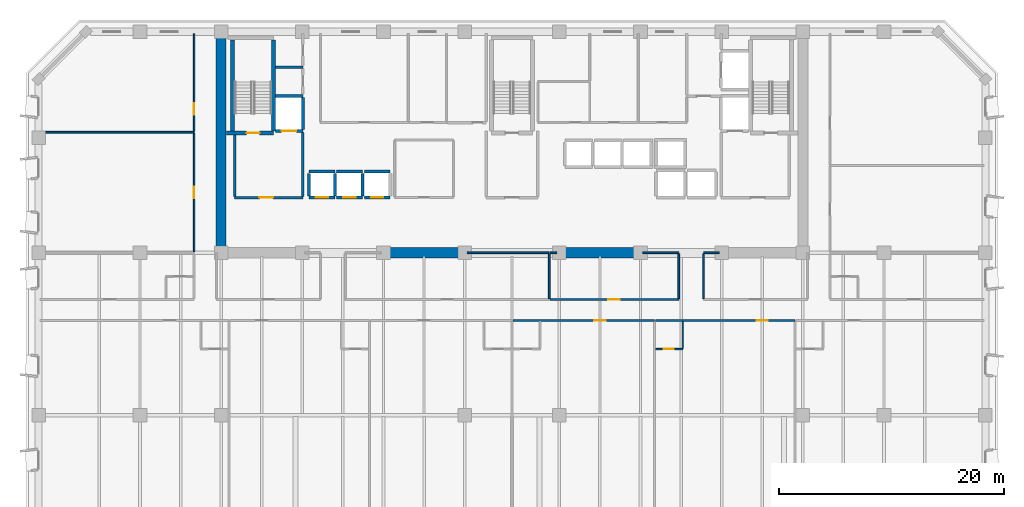
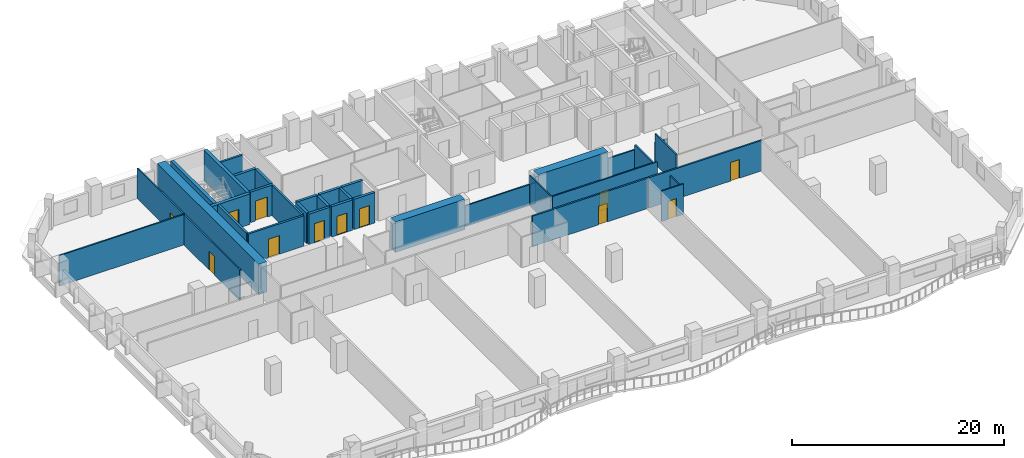
# One storey, part 6 of 15: 37 walls, 12 doors, 12 openings.
"""IFC4 building model written with IfcOpenShell, lengths in metres."""

from ifc_helpers import new_model, si_unit, direction, frame, frame_2d, origin, place, context, subcontext, project, spatial, rectangle, extrude, material, layer, layer_set, type_object, element, fill, save


model = new_model("IFC4")

# Units and contexts
model_context = context("Model", 3, precision=1e-05, world=origin(), true_north=direction((0.0, 1.0)))
body_context = subcontext(model_context, "Body", "Model", "MODEL_VIEW")
ifc_project = project(units=[si_unit("LENGTHUNIT", "METRE"), si_unit("AREAUNIT", "SQUARE_METRE"), si_unit("VOLUMEUNIT", "CUBIC_METRE"), si_unit("PLANEANGLEUNIT", "RADIAN"), si_unit("MASSUNIT", "GRAM", prefix="KILO")], contexts=[model_context])

# Site, building, storey
site_placement = place(None, origin())
site = spatial("IfcSite", under=ifc_project, at=site_placement, CompositionType="ELEMENT")
building_placement = place(site_placement, origin())
building = spatial("IfcBuilding", under=site, at=building_placement, Name="Kaelvorn Grand Hotel", CompositionType="ELEMENT")
storey_placement = place(building_placement, frame((0.0, 0.0, 108.050048828125)))
storey = spatial("IfcBuildingStorey", under=building, at=storey_placement, Name="L25", CompositionType="ELEMENT", Elevation=108.050048828125)

# Walls
ifc_material_1 = material(Name="Concrete C60/75", Category="concrete")
ifc_layer_1 = layer(ifc_material_1, 0.89990234375)
ifc_layer_set_1 = layer_set([ifc_layer_1], Name="Concrete C60/75")
wall_type_1 = type_object("IfcWallType", Name="WL-CORE-900-C60", PredefinedType="SHEAR", material=ifc_layer_set_1)
wall_1_placement = place(storey_placement, frame((16.199951171875, 29.39990234375, 0.0), z_axis=(0.0, 0.0, 1.0), x_axis=(0.0, 1.0, 0.0)))
element("IfcWall", 1, at=wall_1_placement, inside=storey, type_object=wall_type_1, Name="L25 Rear-Core West Shear Wall", PredefinedType="SHEAR", context=body_context, shape_type="SweptSolid", body=[
    extrude(rectangle(XDim=19.2001953125, YDim=0.89990234375, at=frame_2d((9.60009765625, 0.0))), origin(), (0.0, 0.0, 1.0), 3.510009765625),
])
for number, where, z_axis, x_axis, name in (
    (2, (30.39990234375, 29.39990234375, 0.0), (0.0, 0.0, 1.0), (1.0, 0.0, 0.0), "L25 Rear-Core Coupled Shear Pier S2"),
    (3, (46.0, 29.39990234375, 0.0), (0.0, 0.0, 1.0), (1.0, 0.0, 0.0), "L25 Rear-Core Coupled Shear Pier S3"),
):
    element("IfcWall", number, at=place(storey_placement, frame(where, z_axis=z_axis, x_axis=x_axis)), inside=storey, type_object=wall_type_1, Name=name, PredefinedType="SHEAR", context=body_context, shape_type="SweptSolid", body=[
        extrude(rectangle(XDim=7.60009765625, YDim=0.89990234375, at=frame_2d((3.800048828125, 0.0))), origin(), (0.0, 0.0, 1.0), 3.510009765625),
    ])

# Wall, opening, door
ifc_material_2 = material(Name="Moisture-Resistant Tile & Stud Board")
ifc_layer_2 = layer(ifc_material_2, 0.125)
ifc_layer_set_2 = layer_set([ifc_layer_2], Name="Moisture-Resistant Tile & Stud Board")
wall_type_2 = type_object("IfcWallType", Name="WL-PART-125-WET", PredefinedType="PARTITIONING", material=ifc_layer_set_2)
wall_2_placement = place(storey_placement, frame((54.74560546875, 20.85009765625, 0.0), z_axis=(0.0, 0.0, 1.0), x_axis=(1.0, 0.0, 0.0)))
wall_2 = element("IfcWall", 4, at=wall_2_placement, inside=storey, type_object=wall_type_2, Name="L25 En-suite Bathroom L25-05 S Partition", PredefinedType="PARTITIONING", context=body_context, shape_type="SweptSolid", body=[
    extrude(rectangle(XDim=2.40478515625, YDim=0.125, at=frame_2d((1.202392578125, 0.0))), origin(), (0.0, 0.0, 1.0), 3.510009765625),
])
opening_1_placement = place(wall_2_placement, frame((0.705078125, 0.0, 0.0)))
opening_1 = element("IfcOpeningElement", 5, at=opening_1_placement, cuts=wall_2, Name="Opening DI4", PredefinedType="OPENING", context=body_context, shape_type="SweptSolid", body=[
    extrude(rectangle(XDim=0.89990234375, YDim=2.10009765625, at=frame_2d((0.449951171875, 1.050048828125))), frame((0.0, 0.072509765625, 0.0), z_axis=(0.0, -1.0, 0.0), x_axis=(1.0, 0.0, 0.0)), (0.0, 0.0, 1.0), 0.14501953125),
])
ifc_material_3 = material(Name="Timber Veneer Leaf", Category="wood")
door_type_1 = type_object("IfcDoorType", Name="DR-INT-BATH-900x2100", OperationType="NOTDEFINED", PredefinedType="DOOR", material=ifc_material_3)
door_1_placement = place(opening_1_placement, origin())
door_1 = element("IfcDoor", 6, at=door_1_placement, inside=storey, type_object=door_type_1, Name="L25 En-suite Bathroom L25-05 Door", OperationType="SINGLE_SWING_LEFT", OverallHeight=2.10009765625, OverallWidth=0.89990234375, PredefinedType="DOOR", context=body_context, shape_type="SweptSolid", body=[
    extrude(rectangle(XDim=0.89990234375, YDim=2.10009765625, at=frame_2d((0.449951171875, 1.050048828125))), frame((0.0, 0.02490234375, 0.0), z_axis=(0.0, -1.0, 0.0), x_axis=(1.0, 0.0, 0.0)), (0.0, 0.0, 1.0), 0.050048828125),
])
fill(opening_1, door_1)

# Walls
wall_3_placement = place(storey_placement, frame((57.150390625, 20.91748046875, 0.0), z_axis=(0.0, 0.0, 1.0), x_axis=(0.0, 1.0, 0.0)))
element("IfcWall", 7, at=wall_3_placement, inside=storey, type_object=wall_type_2, Name="L25 En-suite Bathroom L25-05 E Partition", PredefinedType="PARTITIONING", context=body_context, shape_type="SweptSolid", body=[
    extrude(rectangle(XDim=2.387451171875, YDim=0.125, at=frame_2d((1.19384765625, 0.0))), origin(), (0.0, 0.0, 1.0), 2.976806640625),
])
ifc_material_4 = material(Name="Acoustic Gypsum & Stud Partition")
ifc_layer_3 = layer(ifc_material_4, 0.14990234375)
ifc_layer_set_3 = layer_set([ifc_layer_3], Name="Acoustic Gypsum & Stud Partition")
wall_type_3 = type_object("IfcWallType", Name="WL-PART-150-EI60", PredefinedType="PARTITIONING", material=ifc_layer_set_3)
wall_4_placement = place(storey_placement, frame((38.010009765625, 29.39990234375, 0.0), z_axis=(0.0, 0.0, 1.0), x_axis=(1.0, 0.0, 0.0)))
element("IfcWall", 8, at=wall_4_placement, inside=storey, type_object=wall_type_3, Name="L25 Catering Servery Kitchen N Partition (2)", PredefinedType="PARTITIONING", context=body_context, shape_type="SweptSolid", body=[
    extrude(rectangle(XDim=7.2900390625, YDim=0.14990234375, at=frame_2d((3.64501953125, 0.0))), origin(), (0.0, 0.0, 1.0), 2.409912109375),
])
wall_5_placement = place(storey_placement, frame((45.300048828125, 25.330078125, 0.0), z_axis=(0.0, 0.0, 1.0), x_axis=(0.0, 1.0, 0.0)))
element("IfcWall", 9, at=wall_5_placement, inside=storey, type_object=wall_type_3, Name="L25 Catering Servery Kitchen E Partition", PredefinedType="PARTITIONING", context=body_context, shape_type="SweptSolid", body=[
    extrude(rectangle(XDim=3.989990234375, YDim=0.14990234375, at=frame_2d((1.9951171875, 0.0))), origin(), (0.0, 0.0, 1.0), 3.510009765625),
])

# Wall, opening, door
wall_6_placement = place(storey_placement, frame((45.3798828125, 25.25, 0.0), z_axis=(0.0, 0.0, 1.0), x_axis=(1.0, 0.0, 0.0)))
wall_6 = element("IfcWall", 10, at=wall_6_placement, inside=storey, type_object=wall_type_3, Name="L25 Presidential Living Room S Partition", PredefinedType="PARTITIONING", context=body_context, shape_type="SweptSolid", body=[
    extrude(rectangle(XDim=11.420166015625, YDim=0.14990234375, at=frame_2d((5.7099609375, 0.0))), origin(), (0.0, 0.0, 1.0), 3.510009765625),
])
opening_2_placement = place(wall_6_placement, frame((5.169921875, 0.0, 0.0)))
opening_2 = element("IfcOpeningElement", 11, at=opening_2_placement, cuts=wall_6, Name="Opening DI3", PredefinedType="OPENING", context=body_context, shape_type="SweptSolid", body=[
    extrude(rectangle(XDim=1.0, YDim=2.14990234375, at=frame_2d((0.5, 1.074951171875))), frame((0.0, 0.0849609375, 0.0), z_axis=(0.0, -1.0, 0.0), x_axis=(1.0, 0.0, 0.0)), (0.0, 0.0, 1.0), 0.169921875),
])
ifc_material_5 = material(Name="Timber Veneer Fire Leaf", Category="wood")
door_type_2 = type_object("IfcDoorType", Name="DR-INT-GUEST-1000x2150", OperationType="NOTDEFINED", PredefinedType="DOOR", material=ifc_material_5)
door_2_placement = place(opening_2_placement, origin())
door_2 = element("IfcDoor", 12, at=door_2_placement, inside=storey, type_object=door_type_2, Name="L25 Presidential Living Room Door", OperationType="SINGLE_SWING_RIGHT", OverallHeight=2.14990234375, OverallWidth=1.0, PredefinedType="DOOR", context=body_context, shape_type="SweptSolid", body=[
    extrude(rectangle(XDim=1.0, YDim=2.14990234375, at=frame_2d((0.5, 1.074951171875))), frame((0.0, 0.02490234375, 0.0), z_axis=(0.0, -1.0, 0.0), x_axis=(1.0, 0.0, 0.0)), (0.0, 0.0, 1.0), 0.050048828125),
])
fill(opening_2, door_2)

# Walls
wall_7_placement = place(storey_placement, frame((45.3798828125, 29.39990234375, 0.0), z_axis=(0.0, 0.0, 1.0), x_axis=(1.0, 0.0, 0.0)))
element("IfcWall", 13, at=wall_7_placement, inside=storey, type_object=wall_type_3, Name="L25 Presidential Living Room N Partition (1)", PredefinedType="PARTITIONING", context=body_context, shape_type="SweptSolid", body=[
    extrude(rectangle(XDim=0.610107421875, YDim=0.14990234375, at=frame_2d((0.30517578125, 0.0))), origin(), (0.0, 0.0, 1.0), 2.409912109375),
])
wall_8_placement = place(storey_placement, frame((53.610107421875, 29.39990234375, 0.0), z_axis=(0.0, 0.0, 1.0), x_axis=(1.0, 0.0, 0.0)))
element("IfcWall", 14, at=wall_8_placement, inside=storey, type_object=wall_type_3, Name="L25 Presidential Living Room N Partition (2)", PredefinedType="PARTITIONING", context=body_context, shape_type="SweptSolid", body=[
    extrude(rectangle(XDim=3.18994140625, YDim=0.14990234375, at=frame_2d((1.594970703125, 0.0))), origin(), (0.0, 0.0, 1.0), 2.409912109375),
])
wall_9_placement = place(storey_placement, frame((56.800048828125, 25.330078125, 0.0), z_axis=(0.0, 0.0, 1.0), x_axis=(0.0, 1.0, 0.0)))
element("IfcWall", 15, at=wall_9_placement, inside=storey, type_object=wall_type_3, Name="L25 Presidential Living Room E Partition", PredefinedType="PARTITIONING", context=body_context, shape_type="SweptSolid", body=[
    extrude(rectangle(XDim=3.989990234375, YDim=0.14990234375, at=frame_2d((1.9951171875, 0.0))), origin(), (0.0, 0.0, 1.0), 2.976806640625),
])
wall_10_placement = place(storey_placement, frame((59.0, 29.39990234375, 0.0), z_axis=(0.0, 0.0, 1.0), x_axis=(1.0, 0.0, 0.0)))
element("IfcWall", 16, at=wall_10_placement, inside=storey, type_object=wall_type_3, Name="L25 Trade Advisory Office N Partition", PredefinedType="PARTITIONING", context=body_context, shape_type="SweptSolid", body=[
    extrude(rectangle(XDim=1.389892578125, YDim=0.14990234375, at=frame_2d((0.69482421875, 0.0))), origin(), (0.0, 0.0, 1.0), 2.409912109375),
])
wall_11_placement = place(storey_placement, frame((59.0, 25.330078125, 0.0), z_axis=(0.0, 0.0, 1.0), x_axis=(0.0, 1.0, 0.0)))
element("IfcWall", 17, at=wall_11_placement, inside=storey, type_object=wall_type_3, Name="L25 Trade Advisory Office W Partition", PredefinedType="PARTITIONING", context=body_context, shape_type="SweptSolid", body=[
    extrude(rectangle(XDim=3.989990234375, YDim=0.14990234375, at=frame_2d((1.9951171875, 0.0))), origin(), (0.0, 0.0, 1.0), 3.510009765625),
])
wall_12_placement = place(storey_placement, frame((0.14990234375, 40.10009765625, 0.0), z_axis=(0.0, 0.0, 1.0), x_axis=(1.0, 0.0, 0.0)))
element("IfcWall", 18, at=wall_12_placement, inside=storey, type_object=wall_type_3, Name="L25 North-West Botanical Conservatory Salon N Partition", PredefinedType="PARTITIONING", context=body_context, shape_type="SweptSolid", body=[
    extrude(rectangle(XDim=13.650146484375, YDim=0.14990234375, at=frame_2d((6.8251953125, 0.0))), origin(), (0.0, 0.0, 1.0), 3.510009765625),
])

# Wall, opening, door
wall_13_placement = place(storey_placement, frame((13.800048828125, 29.4951171875, 0.0), z_axis=(0.0, 0.0, 1.0), x_axis=(0.0, 1.0, 0.0)))
wall_13 = element("IfcWall", 19, at=wall_13_placement, inside=storey, type_object=wall_type_3, Name="L25 North-West Botanical Conservatory Salon E Partition", PredefinedType="PARTITIONING", context=body_context, shape_type="SweptSolid", body=[
    extrude(rectangle(XDim=10.52490234375, YDim=0.14990234375, at=frame_2d((5.262451171875, 0.0))), origin(), (0.0, 0.0, 1.0), 3.510009765625),
])
opening_3_placement = place(wall_13_placement, frame((4.7548828125, 0.0, 0.0)))
opening_3 = element("IfcOpeningElement", 20, at=opening_3_placement, cuts=wall_13, Name="Opening DI3", PredefinedType="OPENING", context=body_context, shape_type="SweptSolid", body=[
    extrude(rectangle(XDim=1.0, YDim=2.14990234375, at=frame_2d((0.5, 1.074951171875))), frame((0.0, 0.0849609375, 0.0), z_axis=(0.0, -1.0, 0.0), x_axis=(1.0, 0.0, 0.0)), (0.0, 0.0, 1.0), 0.169921875),
])
door_3_placement = place(opening_3_placement, origin())
door_3 = element("IfcDoor", 21, at=door_3_placement, inside=storey, type_object=door_type_2, Name="L25 North-West Botanical Conservatory Salon Door", OperationType="SINGLE_SWING_RIGHT", OverallHeight=2.14990234375, OverallWidth=1.0, PredefinedType="DOOR", context=body_context, shape_type="SweptSolid", body=[
    extrude(rectangle(XDim=1.0, YDim=2.14990234375, at=frame_2d((0.5, 1.074951171875))), frame((0.0, 0.02490234375, 0.0), z_axis=(0.0, -1.0, 0.0), x_axis=(1.0, 0.0, 0.0)), (0.0, 0.0, 1.0), 0.050048828125),
])
fill(opening_3, door_3)

wall_14_placement = place(storey_placement, frame((13.800048828125, 40.179931640625, 0.0), z_axis=(0.0, 0.0, 1.0), x_axis=(0.0, 1.0, 0.0)))
wall_14 = element("IfcWall", 22, at=wall_14_placement, inside=storey, type_object=wall_type_3, Name="L25 North-West Catering Servery Kitchen E Partition", PredefinedType="PARTITIONING", context=body_context, shape_type="SweptSolid", body=[
    extrude(rectangle(XDim=8.670166015625, YDim=0.14990234375, at=frame_2d((4.3349609375, 0.0))), origin(), (0.0, 0.0, 1.0), 3.510009765625),
])
opening_4_placement = place(wall_14_placement, frame((1.469970703125, 0.0, 0.0)))
opening_4 = element("IfcOpeningElement", 23, at=opening_4_placement, cuts=wall_14, Name="Opening DI3", PredefinedType="OPENING", context=body_context, shape_type="SweptSolid", body=[
    extrude(rectangle(XDim=1.0, YDim=2.14990234375, at=frame_2d((0.5, 1.074951171875))), frame((0.0, 0.0849609375, 0.0), z_axis=(0.0, -1.0, 0.0), x_axis=(1.0, 0.0, 0.0)), (0.0, 0.0, 1.0), 0.169921875),
])
door_4_placement = place(opening_4_placement, origin())
door_4 = element("IfcDoor", 24, at=door_4_placement, inside=storey, type_object=door_type_2, Name="L25 North-West Catering Servery Kitchen Door", OperationType="SINGLE_SWING_LEFT", OverallHeight=2.14990234375, OverallWidth=1.0, PredefinedType="DOOR", context=body_context, shape_type="SweptSolid", body=[
    extrude(rectangle(XDim=1.0, YDim=2.14990234375, at=frame_2d((0.5, 1.074951171875))), frame((0.0, 0.02490234375, 0.0), z_axis=(0.0, -1.0, 0.0), x_axis=(1.0, 0.0, 0.0)), (0.0, 0.0, 1.0), 0.050048828125),
])
fill(opening_4, door_4)

ifc_layer_4 = layer(ifc_material_4, 0.179931640625)
ifc_layer_set_4 = layer_set([ifc_layer_4], Name="Acoustic Gypsum & Stud Partition")
wall_type_4 = type_object("IfcWallType", Name="WL-PART-180-EI60", PredefinedType="PARTITIONING", material=ifc_layer_set_4)
wall_15_placement = place(storey_placement, frame((42.094970703125, 23.39990234375, 0.0), z_axis=(0.0, 0.0, 1.0), x_axis=(1.0, 0.0, 0.0)))
wall_15 = element("IfcWall", 25, at=wall_15_placement, inside=storey, type_object=wall_type_4, Name="L25 Presidential Sky Suite L25-04 N Partition", PredefinedType="PARTITIONING", context=body_context, shape_type="SweptSolid", body=[
    extrude(rectangle(XDim=12.555419921875, YDim=0.179931640625, at=frame_2d((6.27783203125, 0.0))), origin(), (0.0, 0.0, 1.0), 3.510009765625),
])
opening_5_placement = place(wall_15_placement, frame((7.205078125, 0.0, 0.0)))
opening_5 = element("IfcOpeningElement", 26, at=opening_5_placement, cuts=wall_15, Name="Opening DI3", PredefinedType="OPENING", context=body_context, shape_type="SweptSolid", body=[
    extrude(rectangle(XDim=1.0, YDim=2.14990234375, at=frame_2d((0.5, 1.074951171875))), frame((0.0, 0.10009765625, 0.0), z_axis=(0.0, -1.0, 0.0), x_axis=(1.0, 0.0, 0.0)), (0.0, 0.0, 1.0), 0.199951171875),
])
door_5_placement = place(opening_5_placement, origin())
door_5 = element("IfcDoor", 27, at=door_5_placement, inside=storey, type_object=door_type_2, Name="L25 Presidential Sky Suite L25-04 Door", OperationType="SINGLE_SWING_RIGHT", OverallHeight=2.14990234375, OverallWidth=1.0, PredefinedType="DOOR", context=body_context, shape_type="SweptSolid", body=[
    extrude(rectangle(XDim=1.0, YDim=2.14990234375, at=frame_2d((0.5, 1.074951171875))), frame((0.0, 0.02490234375, 0.0), z_axis=(0.0, -1.0, 0.0), x_axis=(1.0, 0.0, 0.0)), (0.0, 0.0, 1.0), 0.050048828125),
])
fill(opening_5, door_5)

wall_16_placement = place(storey_placement, frame((54.74560546875, 23.39990234375, 0.0), z_axis=(0.0, 0.0, 1.0), x_axis=(1.0, 0.0, 0.0)))
wall_16 = element("IfcWall", 28, at=wall_16_placement, inside=storey, type_object=wall_type_4, Name="L25 Presidential Sky Suite L25-05 N Partition", PredefinedType="PARTITIONING", context=body_context, shape_type="SweptSolid", body=[
    extrude(rectangle(XDim=12.354736328125, YDim=0.179931640625, at=frame_2d((6.17724609375, 0.0))), origin(), (0.0, 0.0, 1.0), 3.510009765625),
])
opening_6_placement = place(wall_16_placement, frame((8.95458984375, 0.0, 0.0)))
opening_6 = element("IfcOpeningElement", 29, at=opening_6_placement, cuts=wall_16, Name="Opening DI3", PredefinedType="OPENING", context=body_context, shape_type="SweptSolid", body=[
    extrude(rectangle(XDim=1.0, YDim=2.14990234375, at=frame_2d((0.5, 1.074951171875))), frame((0.0, 0.10009765625, 0.0), z_axis=(0.0, -1.0, 0.0), x_axis=(1.0, 0.0, 0.0)), (0.0, 0.0, 1.0), 0.199951171875),
])
door_6_placement = place(opening_6_placement, origin())
door_6 = element("IfcDoor", 30, at=door_6_placement, inside=storey, type_object=door_type_2, Name="L25 Presidential Sky Suite L25-05 Door", OperationType="SINGLE_SWING_RIGHT", OverallHeight=2.14990234375, OverallWidth=1.0, PredefinedType="DOOR", context=body_context, shape_type="SweptSolid", body=[
    extrude(rectangle(XDim=1.0, YDim=2.14990234375, at=frame_2d((0.5, 1.074951171875))), frame((0.0, 0.02490234375, 0.0), z_axis=(0.0, -1.0, 0.0), x_axis=(1.0, 0.0, 0.0)), (0.0, 0.0, 1.0), 0.050048828125),
])
fill(opening_6, door_6)

ifc_material_6 = material(Name="Concrete C40/50", Category="concrete")
ifc_layer_5 = layer(ifc_material_6, 0.219970703125)
ifc_layer_set_5 = layer_set([ifc_layer_5], Name="Concrete C40/50")
wall_type_5 = type_object("IfcWallType", Name="WL-PART-220-EI120", PredefinedType="PARTITIONING", material=ifc_layer_set_5)
wall_17_placement = place(storey_placement, frame((17.39990234375, 34.300048828125, 0.0), z_axis=(0.0, 0.0, 1.0), x_axis=(1.0, 0.0, 0.0)))
wall_17 = element("IfcWall", 31, at=wall_17_placement, inside=storey, type_object=wall_type_5, Name="L25 Firefighting Lift Lobby 1 S Partition", PredefinedType="PARTITIONING", context=body_context, shape_type="SweptSolid", body=[
    extrude(rectangle(XDim=6.050048828125, YDim=0.219970703125, at=frame_2d((3.02490234375, 0.0))), origin(), (0.0, 0.0, 1.0), 3.510009765625),
])
opening_7_placement = place(wall_17_placement, frame((2.199951171875, 0.0, 0.0)))
opening_7 = element("IfcOpeningElement", 32, at=opening_7_placement, cuts=wall_17, Name="Opening DI2", PredefinedType="OPENING", context=body_context, shape_type="SweptSolid", body=[
    extrude(rectangle(XDim=1.199951171875, YDim=2.14990234375, at=frame_2d((0.60009765625, 1.074951171875))), frame((0.0, 0.1201171875, 0.0), z_axis=(0.0, -1.0, 0.0), x_axis=(1.0, 0.0, 0.0)), (0.0, 0.0, 1.0), 0.239990234375),
])
door_type_3 = type_object("IfcDoorType", Name="DR-INT-FFLOB-1200x2150", OperationType="NOTDEFINED", PredefinedType="DOOR", material=ifc_material_5)
door_7_placement = place(opening_7_placement, origin())
door_7 = element("IfcDoor", 33, at=door_7_placement, inside=storey, type_object=door_type_3, Name="L25 Firefighting Lift Lobby 1 Door", OperationType="SINGLE_SWING_LEFT", OverallHeight=2.14990234375, OverallWidth=1.199951171875, PredefinedType="DOOR", context=body_context, shape_type="SweptSolid", body=[
    extrude(rectangle(XDim=1.199951171875, YDim=2.14990234375, at=frame_2d((0.60009765625, 1.074951171875))), frame((0.0, 0.02490234375, 0.0), z_axis=(0.0, -1.0, 0.0), x_axis=(1.0, 0.0, 0.0)), (0.0, 0.0, 1.0), 0.050048828125),
])
fill(opening_7, door_7)

# Walls
wall_18_placement = place(storey_placement, frame((17.39990234375, 34.4150390625, 0.0), z_axis=(0.0, 0.0, 1.0), x_axis=(0.0, 1.0, 0.0)))
element("IfcWall", 34, at=wall_18_placement, inside=storey, type_object=wall_type_5, Name="L25 Firefighting Lift Lobby 1 W Partition", PredefinedType="PARTITIONING", context=body_context, shape_type="SweptSolid", body=[
    extrude(rectangle(XDim=5.429931640625, YDim=0.219970703125, at=frame_2d((2.71484375, 0.0))), origin(), (0.0, 0.0, 1.0), 3.510009765625),
])
wall_19_placement = place(storey_placement, frame((23.449951171875, 34.4150390625, 0.0), z_axis=(0.0, 0.0, 1.0), x_axis=(0.0, 1.0, 0.0)))
element("IfcWall", 35, at=wall_19_placement, inside=storey, type_object=wall_type_5, Name="L25 Firefighting Lift Lobby 1 E Partition", PredefinedType="PARTITIONING", context=body_context, shape_type="SweptSolid", body=[
    extrude(rectangle(XDim=5.639892578125, YDim=0.219970703125, at=frame_2d((2.81982421875, 0.0))), origin(), (0.0, 0.0, 1.0), 3.510009765625),
])
wall_20_placement = place(storey_placement, frame((21.034912109375, 45.85009765625, 0.0), z_axis=(0.0, 0.0, 1.0), x_axis=(1.0, 0.0, 0.0)))
element("IfcWall", 36, at=wall_20_placement, inside=storey, type_object=wall_type_5, Name="L25 Wet Fire & Plumbing Riser Shaft N Partition", PredefinedType="PARTITIONING", context=body_context, shape_type="SweptSolid", body=[
    extrude(rectangle(XDim=2.4150390625, YDim=0.219970703125, at=frame_2d((1.20751953125, 0.0))), origin(), (0.0, 0.0, 1.0), 3.510009765625),
])

# Wall, opening, door
ifc_material_7 = material(Name="Concrete C50/60", Category="concrete")
ifc_layer_6 = layer(ifc_material_7, 0.280029296875)
ifc_layer_set_6 = layer_set([ifc_layer_6], Name="Concrete C50/60")
wall_type_6 = type_object("IfcWallType", Name="WL-SHAFT-280-C50", PredefinedType="SHEAR", material=ifc_layer_set_6)
wall_21_placement = place(storey_placement, frame((24.0, 34.300048828125, 0.0), z_axis=(0.0, 0.0, 1.0), x_axis=(1.0, 0.0, 0.0)))
wall_21 = element("IfcWall", 37, at=wall_21_placement, inside=storey, type_object=wall_type_6, Name="L25 Lift PL-L1 Shaft South Wall", PredefinedType="SHEAR", context=body_context, shape_type="SweptSolid", body=[
    extrude(rectangle(XDim=2.300048828125, YDim=0.280029296875, at=frame_2d((1.14990234375, 0.0))), origin(), (0.0, 0.0, 1.0), 3.510009765625),
])
opening_8_placement = place(wall_21_placement, frame((0.60009765625, 0.0, 0.0)))
opening_8 = element("IfcOpeningElement", 38, at=opening_8_placement, cuts=wall_21, Name="Opening LD-PL-L1", PredefinedType="OPENING", context=body_context, shape_type="SweptSolid", body=[
    extrude(rectangle(XDim=1.10009765625, YDim=2.199951171875, at=frame_2d((0.550048828125, 1.10009765625))), frame((0.0, 0.14990234375, 0.0), z_axis=(0.0, -1.0, 0.0), x_axis=(1.0, 0.0, 0.0)), (0.0, 0.0, 1.0), 0.300048828125),
])
ifc_material_8 = material(Name="Stainless Steel", Category="steel")
door_type_4 = type_object("IfcDoorType", Name="DR-LIFT-PASS-1100x2200", OperationType="DOUBLE_DOOR_SLIDING", PredefinedType="DOOR", material=ifc_material_8)
door_8_placement = place(opening_8_placement, origin())
door_8 = element("IfcDoor", 39, at=door_8_placement, inside=storey, type_object=door_type_4, Name="L25 Lift PL-L1 Sliding Landing Door LD-PL-L1", OperationType="DOUBLE_DOOR_SLIDING", OverallHeight=2.199951171875, OverallWidth=1.10009765625, PredefinedType="DOOR", context=body_context, shape_type="SweptSolid", body=[
    extrude(rectangle(XDim=1.10009765625, YDim=2.199951171875, at=frame_2d((0.550048828125, 1.10009765625))), frame((0.0, 0.02490234375, 0.0), z_axis=(0.0, -1.0, 0.0), x_axis=(1.0, 0.0, 0.0)), (0.0, 0.0, 1.0), 0.050048828125),
])
fill(opening_8, door_8)

# Walls
wall_22_placement = place(storey_placement, frame((24.0, 36.60009765625, 0.0), z_axis=(0.0, 0.0, 1.0), x_axis=(1.0, 0.0, 0.0)))
element("IfcWall", 40, at=wall_22_placement, inside=storey, type_object=wall_type_6, Name="L25 Lift PL-L1 Shaft North Wall", PredefinedType="SHEAR", context=body_context, shape_type="SweptSolid", body=[
    extrude(rectangle(XDim=2.300048828125, YDim=0.280029296875, at=frame_2d((1.14990234375, 0.0))), origin(), (0.0, 0.0, 1.0), 3.510009765625),
])
for number, where, z_axis, x_axis, name in (
    (41, (24.0, 34.445068359375, 0.0), (0.0, 0.0, 1.0), (0.0, 1.0, 0.0), "L25 Lift PL-L1 Shaft West Wall"),
    (42, (26.300048828125, 34.445068359375, 0.0), (0.0, 0.0, 1.0), (0.0, 1.0, 0.0), "L25 Lift PL-L1 Shaft East Wall"),
):
    element("IfcWall", number, at=place(storey_placement, frame(where, z_axis=z_axis, x_axis=x_axis)), inside=storey, type_object=wall_type_6, Name=name, PredefinedType="SHEAR", context=body_context, shape_type="SweptSolid", body=[
        extrude(rectangle(XDim=2.010009765625, YDim=0.280029296875, at=frame_2d((1.0048828125, 0.0))), origin(), (0.0, 0.0, 1.0), 3.510009765625),
    ])

# Wall, opening, door
wall_23_placement = place(storey_placement, frame((26.449951171875, 34.300048828125, 0.0), z_axis=(0.0, 0.0, 1.0), x_axis=(1.0, 0.0, 0.0)))
wall_23 = element("IfcWall", 43, at=wall_23_placement, inside=storey, type_object=wall_type_6, Name="L25 Lift PL-L2 Shaft South Wall", PredefinedType="SHEAR", context=body_context, shape_type="SweptSolid", body=[
    extrude(rectangle(XDim=2.300048828125, YDim=0.280029296875, at=frame_2d((1.14990234375, 0.0))), origin(), (0.0, 0.0, 1.0), 3.510009765625),
])
opening_9_placement = place(wall_23_placement, frame((0.60009765625, 0.0, 0.0)))
opening_9 = element("IfcOpeningElement", 44, at=opening_9_placement, cuts=wall_23, Name="Opening LD-PL-L2", PredefinedType="OPENING", context=body_context, shape_type="SweptSolid", body=[
    extrude(rectangle(XDim=1.10009765625, YDim=2.199951171875, at=frame_2d((0.550048828125, 1.10009765625))), frame((0.0, 0.14990234375, 0.0), z_axis=(0.0, -1.0, 0.0), x_axis=(1.0, 0.0, 0.0)), (0.0, 0.0, 1.0), 0.300048828125),
])
door_9_placement = place(opening_9_placement, origin())
door_9 = element("IfcDoor", 45, at=door_9_placement, inside=storey, type_object=door_type_4, Name="L25 Lift PL-L2 Sliding Landing Door LD-PL-L2", OperationType="DOUBLE_DOOR_SLIDING", OverallHeight=2.199951171875, OverallWidth=1.10009765625, PredefinedType="DOOR", context=body_context, shape_type="SweptSolid", body=[
    extrude(rectangle(XDim=1.10009765625, YDim=2.199951171875, at=frame_2d((0.550048828125, 1.10009765625))), frame((0.0, 0.02490234375, 0.0), z_axis=(0.0, -1.0, 0.0), x_axis=(1.0, 0.0, 0.0)), (0.0, 0.0, 1.0), 0.050048828125),
])
fill(opening_9, door_9)

# Walls
wall_24_placement = place(storey_placement, frame((26.449951171875, 36.60009765625, 0.0), z_axis=(0.0, 0.0, 1.0), x_axis=(1.0, 0.0, 0.0)))
element("IfcWall", 46, at=wall_24_placement, inside=storey, type_object=wall_type_6, Name="L25 Lift PL-L2 Shaft North Wall", PredefinedType="SHEAR", context=body_context, shape_type="SweptSolid", body=[
    extrude(rectangle(XDim=2.300048828125, YDim=0.280029296875, at=frame_2d((1.14990234375, 0.0))), origin(), (0.0, 0.0, 1.0), 3.510009765625),
])
wall_25_placement = place(storey_placement, frame((28.75, 34.445068359375, 0.0), z_axis=(0.0, 0.0, 1.0), x_axis=(0.0, 1.0, 0.0)))
element("IfcWall", 47, at=wall_25_placement, inside=storey, type_object=wall_type_6, Name="L25 Lift PL-L2 Shaft East Wall", PredefinedType="SHEAR", context=body_context, shape_type="SweptSolid", body=[
    extrude(rectangle(XDim=2.010009765625, YDim=0.280029296875, at=frame_2d((1.0048828125, 0.0))), origin(), (0.0, 0.0, 1.0), 3.510009765625),
])

# Wall, opening, door
wall_26_placement = place(storey_placement, frame((28.89990234375, 34.300048828125, 0.0), z_axis=(0.0, 0.0, 1.0), x_axis=(1.0, 0.0, 0.0)))
wall_26 = element("IfcWall", 48, at=wall_26_placement, inside=storey, type_object=wall_type_6, Name="L25 Lift PL-L3 Shaft South Wall", PredefinedType="SHEAR", context=body_context, shape_type="SweptSolid", body=[
    extrude(rectangle(XDim=2.300048828125, YDim=0.280029296875, at=frame_2d((1.14990234375, 0.0))), origin(), (0.0, 0.0, 1.0), 3.510009765625),
])
opening_10_placement = place(wall_26_placement, frame((0.60009765625, 0.0, 0.0)))
opening_10 = element("IfcOpeningElement", 49, at=opening_10_placement, cuts=wall_26, Name="Opening LD-PL-L3", PredefinedType="OPENING", context=body_context, shape_type="SweptSolid", body=[
    extrude(rectangle(XDim=1.10009765625, YDim=2.199951171875, at=frame_2d((0.550048828125, 1.10009765625))), frame((0.0, 0.14990234375, 0.0), z_axis=(0.0, -1.0, 0.0), x_axis=(1.0, 0.0, 0.0)), (0.0, 0.0, 1.0), 0.300048828125),
])
door_10_placement = place(opening_10_placement, origin())
door_10 = element("IfcDoor", 50, at=door_10_placement, inside=storey, type_object=door_type_4, Name="L25 Lift PL-L3 Sliding Landing Door LD-PL-L3", OperationType="DOUBLE_DOOR_SLIDING", OverallHeight=2.199951171875, OverallWidth=1.10009765625, PredefinedType="DOOR", context=body_context, shape_type="SweptSolid", body=[
    extrude(rectangle(XDim=1.10009765625, YDim=2.199951171875, at=frame_2d((0.550048828125, 1.10009765625))), frame((0.0, 0.02490234375, 0.0), z_axis=(0.0, -1.0, 0.0), x_axis=(1.0, 0.0, 0.0)), (0.0, 0.0, 1.0), 0.050048828125),
])
fill(opening_10, door_10)

# Wall
wall_27_placement = place(storey_placement, frame((28.89990234375, 36.60009765625, 0.0), z_axis=(0.0, 0.0, 1.0), x_axis=(1.0, 0.0, 0.0)))
element("IfcWall", 51, at=wall_27_placement, inside=storey, type_object=wall_type_6, Name="L25 Lift PL-L3 Shaft North Wall", PredefinedType="SHEAR", context=body_context, shape_type="SweptSolid", body=[
    extrude(rectangle(XDim=2.300048828125, YDim=0.280029296875, at=frame_2d((1.14990234375, 0.0))), origin(), (0.0, 0.0, 1.0), 3.510009765625),
])

# Wall, opening, door
wall_28_placement = place(storey_placement, frame((21.034912109375, 40.199951171875, 0.0), z_axis=(0.0, 0.0, 1.0), x_axis=(1.0, 0.0, 0.0)))
wall_28 = element("IfcWall", 52, at=wall_28_placement, inside=storey, type_object=wall_type_6, Name="L25 Lift FFL1 Shaft South Wall", PredefinedType="SHEAR", context=body_context, shape_type="SweptSolid", body=[
    extrude(rectangle(XDim=2.4150390625, YDim=0.280029296875, at=frame_2d((1.20751953125, 0.0))), origin(), (0.0, 0.0, 1.0), 3.510009765625),
])
opening_11_placement = place(wall_28_placement, frame((0.5400390625, 0.0, 0.0)))
opening_11 = element("IfcOpeningElement", 53, at=opening_11_placement, cuts=wall_28, Name="Opening LD-FFL1", PredefinedType="OPENING", context=body_context, shape_type="SweptSolid", body=[
    extrude(rectangle(XDim=1.300048828125, YDim=2.300048828125, at=frame_2d((0.64990234375, 1.14990234375))), frame((0.0, 0.14990234375, 0.0), z_axis=(0.0, -1.0, 0.0), x_axis=(1.0, 0.0, 0.0)), (0.0, 0.0, 1.0), 0.300048828125),
])
door_type_5 = type_object("IfcDoorType", Name="DR-LIFT-SERV-1300x2300", OperationType="DOUBLE_DOOR_SLIDING", PredefinedType="DOOR", material=ifc_material_8)
door_11_placement = place(opening_11_placement, origin())
door_11 = element("IfcDoor", 54, at=door_11_placement, inside=storey, type_object=door_type_5, Name="L25 Lift FFL1 Sliding Landing Door LD-FFL1", OperationType="DOUBLE_DOOR_SLIDING", OverallHeight=2.300048828125, OverallWidth=1.300048828125, PredefinedType="DOOR", context=body_context, shape_type="SweptSolid", body=[
    extrude(rectangle(XDim=1.300048828125, YDim=2.300048828125, at=frame_2d((0.64990234375, 1.14990234375))), frame((0.0, 0.02490234375, 0.0), z_axis=(0.0, -1.0, 0.0), x_axis=(1.0, 0.0, 0.0)), (0.0, 0.0, 1.0), 0.050048828125),
])
fill(opening_11, door_11)

# Walls
wall_29_placement = place(storey_placement, frame((21.034912109375, 43.300048828125, 0.0), z_axis=(0.0, 0.0, 1.0), x_axis=(1.0, 0.0, 0.0)))
element("IfcWall", 55, at=wall_29_placement, inside=storey, type_object=wall_type_6, Name="L25 Lift FFL1 Shaft North Wall", PredefinedType="SHEAR", context=body_context, shape_type="SweptSolid", body=[
    extrude(rectangle(XDim=2.4150390625, YDim=0.280029296875, at=frame_2d((1.20751953125, 0.0))), origin(), (0.0, 0.0, 1.0), 3.510009765625),
])
wall_30_placement = place(storey_placement, frame((23.449951171875, 40.344970703125, 0.0), z_axis=(0.0, 0.0, 1.0), x_axis=(0.0, 1.0, 0.0)))
element("IfcWall", 56, at=wall_30_placement, inside=storey, type_object=wall_type_6, Name="L25 Lift FFL1 Shaft East Wall", PredefinedType="SHEAR", context=body_context, shape_type="SweptSolid", body=[
    extrude(rectangle(XDim=2.81005859375, YDim=0.280029296875, at=frame_2d((1.405029296875, 0.0))), origin(), (0.0, 0.0, 1.0), 3.510009765625),
])

# Wall, opening, door
ifc_layer_7 = layer(ifc_material_1, 0.35009765625)
ifc_layer_set_7 = layer_set([ifc_layer_7], Name="Concrete C60/75")
wall_type_7 = type_object("IfcWallType", Name="WL-SHAFT-350-C60", PredefinedType="SHEAR", material=ifc_layer_set_7)
wall_31_placement = place(storey_placement, frame((16.655029296875, 40.02490234375, 0.0), z_axis=(0.0, 0.0, 1.0), x_axis=(1.0, 0.0, 0.0)))
wall_31 = element("IfcWall", 57, at=wall_31_placement, inside=storey, type_object=wall_type_7, Name="L25 ST1 Stair Shaft South Wall", PredefinedType="SHEAR", context=body_context, shape_type="SweptSolid", body=[
    extrude(rectangle(XDim=4.199951171875, YDim=0.35009765625, at=frame_2d((2.10009765625, 0.0))), origin(), (0.0, 0.0, 1.0), 3.510009765625),
])
opening_12_placement = place(wall_31_placement, frame((1.81005859375, 0.0, 0.0)))
opening_12 = element("IfcOpeningElement", 58, at=opening_12_placement, cuts=wall_31, Name="Opening DI1", PredefinedType="OPENING", context=body_context, shape_type="SweptSolid", body=[
    extrude(rectangle(XDim=1.14990234375, YDim=2.14990234375, at=frame_2d((0.574951171875, 1.074951171875))), frame((0.0, 0.18505859375, 0.0), z_axis=(0.0, -1.0, 0.0), x_axis=(1.0, 0.0, 0.0)), (0.0, 0.0, 1.0), 0.3701171875),
])
door_type_6 = type_object("IfcDoorType", Name="DR-INT-STAIR-1150x2150", OperationType="NOTDEFINED", PredefinedType="DOOR", material=ifc_material_5)
door_12_placement = place(opening_12_placement, origin())
door_12 = element("IfcDoor", 59, at=door_12_placement, inside=storey, type_object=door_type_6, Name="L25 ST1 Exit Stair Fire Door", OperationType="SINGLE_SWING_RIGHT", OverallHeight=2.14990234375, OverallWidth=1.14990234375, PredefinedType="DOOR", context=body_context, shape_type="SweptSolid", body=[
    extrude(rectangle(XDim=1.14990234375, YDim=2.14990234375, at=frame_2d((0.574951171875, 1.074951171875))), frame((0.0, 0.02490234375, 0.0), z_axis=(0.0, -1.0, 0.0), x_axis=(1.0, 0.0, 0.0)), (0.0, 0.0, 1.0), 0.050048828125),
])
fill(opening_12, door_12)

# Walls
for number, where, z_axis, x_axis, name in (
    (60, (17.22509765625, 40.205078125, 0.0), (0.0, 0.0, 1.0), (0.0, 1.0, 0.0), "L25 ST1 Stair Shaft West Wall"),
    (61, (20.85498046875, 40.205078125, 0.0), (0.0, 0.0, 1.0), (0.0, 1.0, 0.0), "L25 ST1 Stair Shaft East Wall"),
):
    element("IfcWall", number, at=place(storey_placement, frame(where, z_axis=z_axis, x_axis=x_axis)), inside=storey, type_object=wall_type_7, Name=name, PredefinedType="SHEAR", context=body_context, shape_type="SweptSolid", body=[
        extrude(rectangle(XDim=8.08984375, YDim=0.35009765625, at=frame_2d((4.044921875, 0.0))), origin(), (0.0, 0.0, 1.0), 3.510009765625),
    ])

save(model, "model.ifc")
